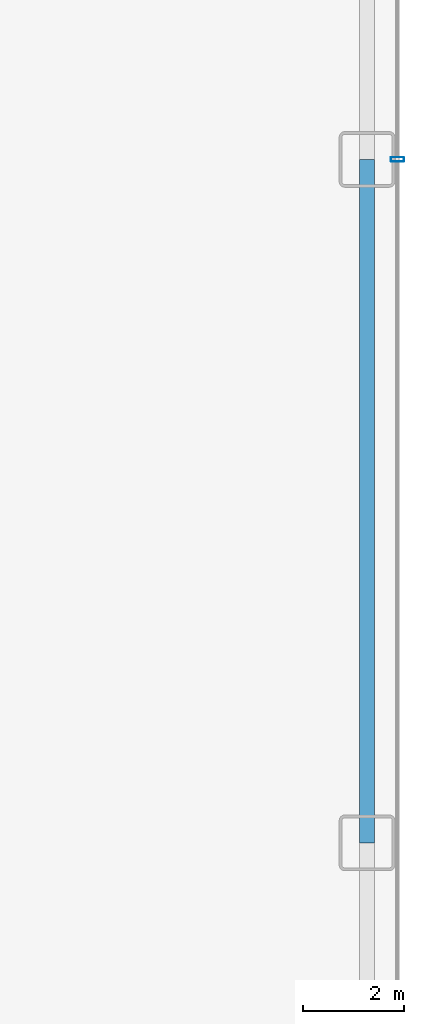
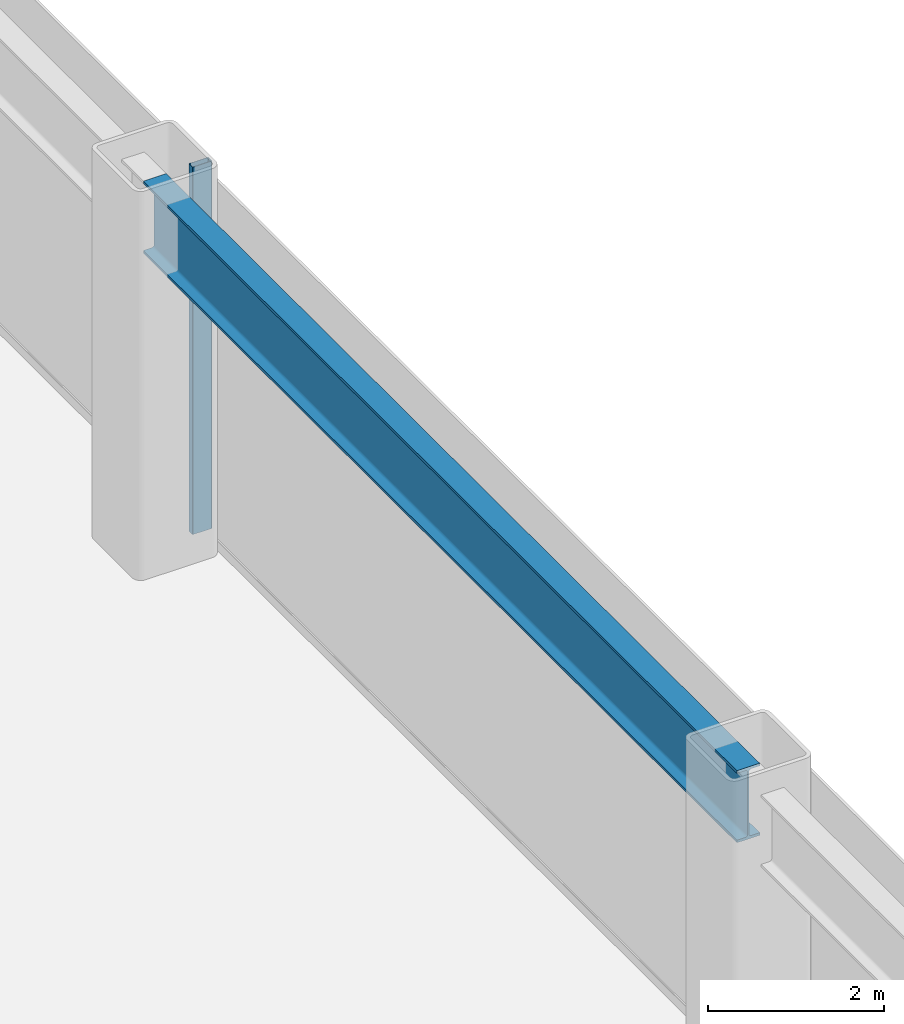
# One storey, part 13 of 24: 1 beam, 1 member, 1 element without a shape of its own.
"""IFC4 building model written with IfcOpenShell, lengths in metres."""

from ifc_helpers import new_model, si_unit, direction, frame, origin, origin_2d, place, context, subcontext, project, spatial, hollow_rectangle, i_section, extrude, source, transform, mapped, material, layer, layer_set, material_profile, profile_set, type_object, element, aggregate, save


model = new_model("IFC4")

# Units and contexts
model_context = context("Model", 3, precision=1e-05, world=origin(), true_north=direction((0.0, 1.0)))
body_context = subcontext(model_context, "Body", "Model", "MODEL_VIEW")
ifc_project = project(units=[si_unit("LENGTHUNIT", "METRE"), si_unit("AREAUNIT", "SQUARE_METRE"), si_unit("VOLUMEUNIT", "CUBIC_METRE"), si_unit("PLANEANGLEUNIT", "RADIAN"), si_unit("MASSUNIT", "GRAM", prefix="KILO")], contexts=[model_context])

# Site, building, storey
site_placement = place(None, origin())
site = spatial("IfcSite", under=ifc_project, at=site_placement, CompositionType="ELEMENT")
building_placement = place(site_placement, origin())
building = spatial("IfcBuilding", under=site, at=building_placement, Name="Nefas-Gora Pilgrimage Tower", CompositionType="ELEMENT")
storey_placement = place(building_placement, frame((0.0, 0.0, 6.0)))
storey = spatial("IfcBuildingStorey", under=building, at=storey_placement, Name="L01", CompositionType="ELEMENT", Elevation=6.0)

# Beam
ifc_material_1 = material(Name="Steel S460", Category="steel")
ifc_material_profile_1 = material_profile(ifc_material_1, i_section(OverallWidth=0.300048828125, OverallDepth=1.0, WebThickness=0.01904296875, FlangeThickness=0.035888671875, FilletRadius=0.030029296875, at=origin_2d()), Name="HEB 1000")
ifc_profile_set_1 = profile_set([ifc_material_profile_1], Name="Steel S460")
beam_type = type_object("IfcBeamType", Name="BM-POD-HEB1000E", PredefinedType="BEAM", material=ifc_profile_set_1)
shared_shape_1 = source(origin(), body_context, "Body", "SweptSolid", [
    extrude(i_section(OverallWidth=0.300048828125, OverallDepth=1.0, WebThickness=0.01904296875, FlangeThickness=0.035888671875, FilletRadius=0.030029296875, at=origin_2d()), origin(), (0.0, 0.0, 1.0), 13.5),
])
beam_placement = place(storey_placement, frame((37.64990234375, -13.5, 4.60009765625), z_axis=(0.0, 1.0, 0.0), x_axis=(-1.0, 0.0, 0.0)))
element("IfcBeam", 1, at=beam_placement, inside=storey, type_object=beam_type, Name="L01 PG-01E beam", PredefinedType="BEAM", context=body_context, shape_type="MappedRepresentation", body=[
    mapped(shared_shape_1, transform((0.0, 0.0, 0.0), x_axis=(1.0, 0.0, 0.0), y_axis=(0.0, 1.0, 0.0), z_axis=(0.0, 0.0, 1.0), scale=1.0)),
])

# Curtain wall, member
ifc_material_2 = material(Name="Dark ceramic-fritted solar-control aluminium-glass curtain wall", Category="aluminium")
ifc_layer = layer(ifc_material_2, 0.219970703125)
ifc_layer_set = layer_set([ifc_layer], Name="Dark ceramic-fritted solar-control aluminium-glass curtain wall")
curtain_wall_type = type_object("IfcCurtainWallType", Name="CW-SYS-1", PredefinedType="NOTDEFINED", material=ifc_layer_set)
curtain_wall_placement = place(storey_placement, origin())
curtain_wall = element("IfcCurtainWall", 2, at=curtain_wall_placement, inside=storey, type_object=curtain_wall_type, Name="L01 Unitised Curtain Wall CW1", PredefinedType="NOTDEFINED")
ifc_material_3 = material(Name="Anodised architectural aluminium", Category="aluminium")
ifc_material_profile_2 = material_profile(ifc_material_3, hollow_rectangle(XDim=0.090087890625, YDim=0.260009765625, WallThickness=0.006103515625, InnerFilletRadius=0.006103515625, OuterFilletRadius=0.011962890625, at=origin_2d()), Name="ALU MULLION 90x260")
ifc_profile_set_2 = profile_set([ifc_material_profile_2], Name="Anodised architectural aluminium")
member_type = type_object("IfcMemberType", Name="CWM-MUL-1", PredefinedType="MULLION", material=ifc_profile_set_2)
shared_shape_2 = source(origin(), body_context, "Body", "SweptSolid", [
    extrude(hollow_rectangle(XDim=0.090087890625, YDim=0.260009765625, WallThickness=0.006103515625, InnerFilletRadius=0.006103515625, OuterFilletRadius=0.011962890625, at=origin_2d()), origin(), (0.0, 0.0, 1.0), 5.10009765625),
])
member_placement = place(storey_placement, frame((38.25, 0.0, 0.0), z_axis=(0.0, 0.0, 1.0), x_axis=(0.0, 1.0, 0.0)))
member = element("IfcMember", 3, at=member_placement, type_object=member_type, Name="CW1 Mullion 2", PredefinedType="MULLION", context=body_context, shape_type="MappedRepresentation", body=[
    mapped(shared_shape_2, transform((0.0, 0.0, 0.0), x_axis=(1.0, 0.0, 0.0), y_axis=(0.0, 1.0, 0.0), z_axis=(0.0, 0.0, 1.0), scale=1.0)),
])
aggregate(curtain_wall, [member])

save(model, "model.ifc")
